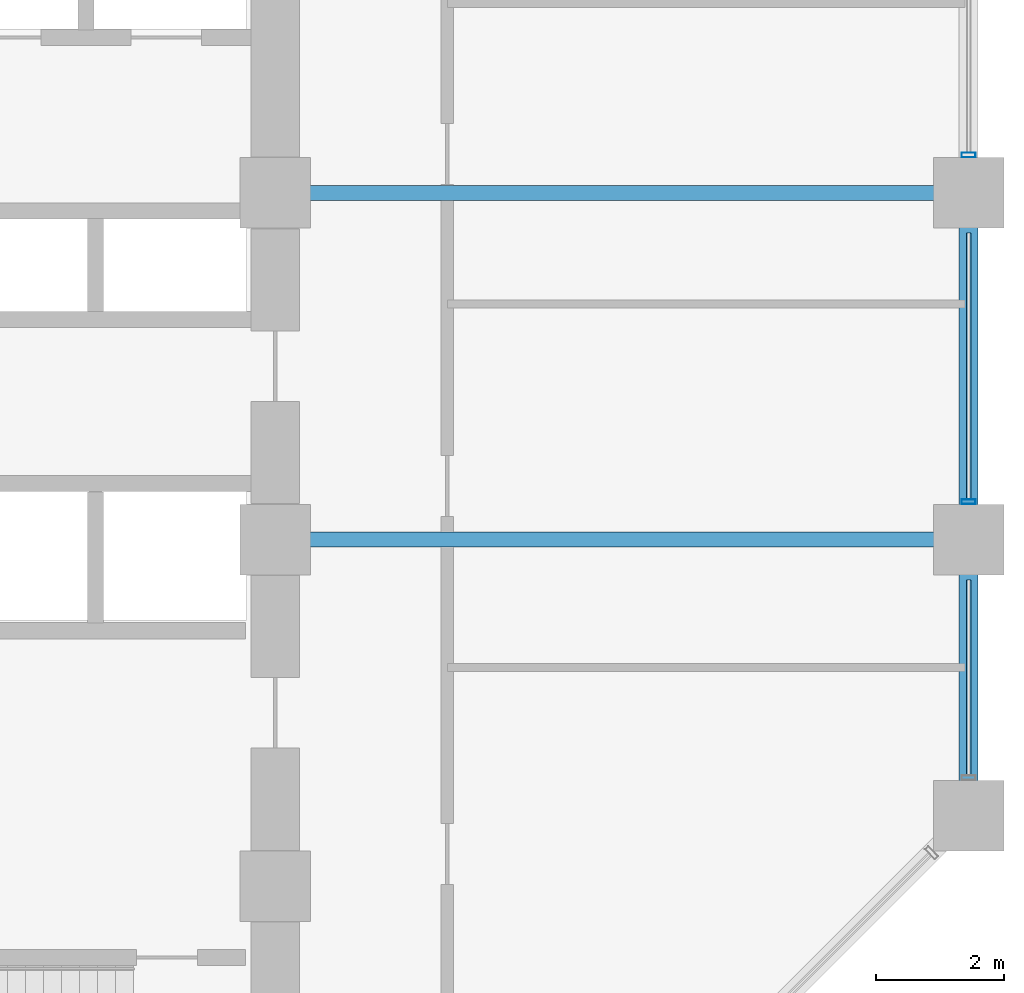
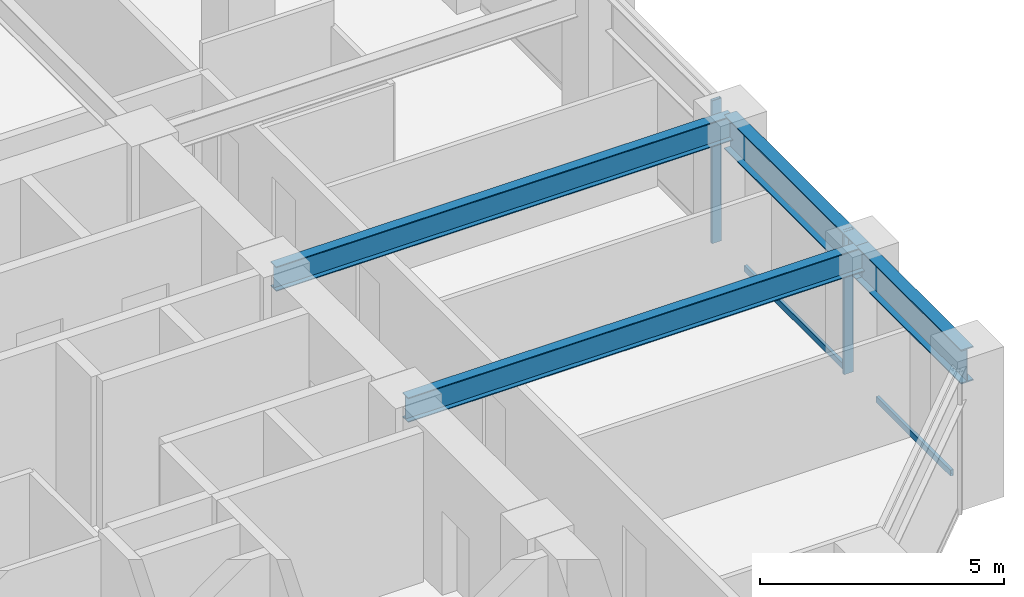
# One storey, part 9 of 25: 4 beams, 4 members, 1 element without a shape of its own.
"""IFC4 building model written with IfcOpenShell, lengths in metres."""

from ifc_helpers import new_model, si_unit, direction, frame, origin, origin_2d, place, context, subcontext, project, spatial, hollow_rectangle, i_section, extrude, material, layer, layer_set, material_profile, profile_set, type_object, element, aggregate, save


model = new_model("IFC4")

# Units and contexts
model_context = context("Model", 3, precision=1e-05, world=origin(), true_north=direction((0.0, 1.0)))
body_context = subcontext(model_context, "Body", "Model", "MODEL_VIEW")
ifc_project = project(units=[si_unit("LENGTHUNIT", "METRE"), si_unit("AREAUNIT", "SQUARE_METRE"), si_unit("VOLUMEUNIT", "CUBIC_METRE"), si_unit("PLANEANGLEUNIT", "RADIAN"), si_unit("MASSUNIT", "GRAM", prefix="KILO")], contexts=[model_context])

# Site, building, storey
site_placement = place(None, origin())
site = spatial("IfcSite", under=ifc_project, at=site_placement, CompositionType="ELEMENT")
building_placement = place(site_placement, origin())
building = spatial("IfcBuilding", under=site, at=building_placement, Name="Surkhivell Harbour Commons", CompositionType="ELEMENT")
storey_placement = place(building_placement, frame((0.0, 0.0, 124.5)))
storey = spatial("IfcBuildingStorey", under=building, at=storey_placement, Name="L32", CompositionType="ELEMENT", Elevation=124.5)

# Beams
ifc_material_1 = material(Name="Steel S355", Category="steel")
ifc_material_profile_1 = material_profile(ifc_material_1, i_section(OverallWidth=0.22998046875, OverallDepth=0.616943359375, WebThickness=0.01318359375, FlangeThickness=0.022216796875, at=origin_2d()), Name="UB610x229x140")
ifc_profile_set_1 = profile_set([ifc_material_profile_1], Name="Steel S355")
beam_type_1 = type_object("IfcBeamType", Name="BM-GRD-610B", PredefinedType="BEAM", material=ifc_profile_set_1)
for number, where, z_axis, x_axis, name in (
    (1, (10.800048828125, 0.0, 3.261474609375), (1.0, 0.0, 0.0), (0.0, 1.0, 0.0), "L32 Floor Girder (10.8,0.0)"),
    (2, (10.800048828125, 5.39990234375, 3.261474609375), (1.0, 0.0, 0.0), (0.0, 1.0, 0.0), "L32 Floor Girder (10.8,5.4)"),
):
    element("IfcBeam", number, at=place(storey_placement, frame(where, z_axis=z_axis, x_axis=x_axis)), inside=storey, type_object=beam_type_1, Name=name, PredefinedType="BEAM", context=body_context, shape_type="SweptSolid", body=[
        extrude(i_section(OverallWidth=0.22998046875, OverallDepth=0.616943359375, WebThickness=0.01318359375, FlangeThickness=0.022216796875, at=origin_2d()), origin(), (0.0, 0.0, 1.0), 10.800048828125),
    ])
ifc_material_2 = material(Name="Steel S460", Category="steel")
ifc_material_profile_2 = material_profile(ifc_material_2, i_section(OverallWidth=0.2939453125, OverallDepth=0.85107421875, WebThickness=0.01611328125, FlangeThickness=0.02685546875, at=origin_2d()), Name="UB838x292x226")
ifc_profile_set_2 = profile_set([ifc_material_profile_2], Name="Steel S460")
beam_type_2 = type_object("IfcBeamType", Name="BM-SPN-838", PredefinedType="SPANDREL", material=ifc_profile_set_2)
beam_1_placement = place(storey_placement, frame((21.60009765625, -4.300048828125, 3.14453125), z_axis=(0.0, 1.0, 0.0), x_axis=(-1.0, 0.0, 0.0)))
element("IfcBeam", 3, at=beam_1_placement, inside=storey, type_object=beam_type_2, Name="L32 Tube Spandrel (21.6,-4.3)", PredefinedType="SPANDREL", context=body_context, shape_type="SweptSolid", body=[
    extrude(i_section(OverallWidth=0.2939453125, OverallDepth=0.85107421875, WebThickness=0.01611328125, FlangeThickness=0.02685546875, at=origin_2d()), origin(), (0.0, 0.0, 1.0), 4.300048828125),
])
beam_2_placement = place(storey_placement, frame((21.60009765625, 0.0, 3.14453125), z_axis=(0.0, 1.0, 0.0), x_axis=(-1.0, 0.0, 0.0)))
element("IfcBeam", 4, at=beam_2_placement, inside=storey, type_object=beam_type_2, Name="L32 Tube Spandrel (21.6,0.0)", PredefinedType="SPANDREL", context=body_context, shape_type="SweptSolid", body=[
    extrude(i_section(OverallWidth=0.2939453125, OverallDepth=0.85107421875, WebThickness=0.01611328125, FlangeThickness=0.02685546875, at=origin_2d()), origin(), (0.0, 0.0, 1.0), 5.39990234375),
])

# Curtain wall, members
ifc_material_3 = material(Name="Anodised pale-metal aluminium and insulated glazing", Category="aluminium")
ifc_layer = layer(ifc_material_3, 0.205078125)
ifc_layer_set = layer_set([ifc_layer], Name="Anodised pale-metal aluminium and insulated glazing")
curtain_wall_type = type_object("IfcCurtainWallType", Name="CW-SYS-Z2", PredefinedType="NOTDEFINED", material=ifc_layer_set)
curtain_wall_placement = place(storey_placement, origin())
curtain_wall = element("IfcCurtainWall", 5, at=curtain_wall_placement, inside=storey, type_object=curtain_wall_type, Name="L32 Curtain Wall CW-L32-E02", PredefinedType="NOTDEFINED")
ifc_material_4 = material(Name="Anodised pale-metal aluminium alloy 6063-T6", Category="aluminium")
ifc_material_profile_3 = material_profile(ifc_material_4, hollow_rectangle(XDim=0.074951171875, YDim=0.219970703125, WallThickness=0.00390625, at=origin_2d()), Name="ALU-MULL-75x220")
ifc_profile_set_3 = profile_set([ifc_material_profile_3], Name="Anodised pale-metal aluminium alloy 6063-T6")
member_type_1 = type_object("IfcMemberType", Name="CWM-220", PredefinedType="MULLION", material=ifc_profile_set_3)
member_1_placement = place(storey_placement, frame((21.60009765625, 0.589599609375, 0.0), z_axis=(0.0, 0.0, 1.0), x_axis=(0.0, 1.0, 0.0)))
member_1 = element("IfcMember", 6, at=member_1_placement, type_object=member_type_1, Name="CW-Z2 mullion 2", PredefinedType="MULLION", context=body_context, shape_type="SweptSolid", body=[
    extrude(hollow_rectangle(XDim=0.074951171875, YDim=0.219970703125, WallThickness=0.00390625, at=origin_2d()), origin(), (0.0, 0.0, 1.0), 3.570068359375),
])
member_2_placement = place(storey_placement, frame((21.60009765625, 5.989501953125, 0.0), z_axis=(0.0, 0.0, 1.0), x_axis=(0.0, 1.0, 0.0)))
member_2 = element("IfcMember", 7, at=member_2_placement, type_object=member_type_1, Name="CW-Z2 mullion 3", PredefinedType="MULLION", context=body_context, shape_type="SweptSolid", body=[
    extrude(hollow_rectangle(XDim=0.074951171875, YDim=0.219970703125, WallThickness=0.00390625, at=origin_2d()), origin(), (0.0, 0.0, 1.0), 3.570068359375),
])
ifc_material_profile_4 = material_profile(ifc_material_4, hollow_rectangle(XDim=0.074951171875, YDim=0.14990234375, WallThickness=0.00341796875, at=origin_2d()), Name="ALU-TRAN-75x150")
ifc_profile_set_4 = profile_set([ifc_material_profile_4], Name="Anodised pale-metal aluminium alloy 6063-T6")
member_type_2 = type_object("IfcMemberType", Name="CWT-150", PredefinedType="USERDEFINED", material=ifc_profile_set_4)
member_3_placement = place(storey_placement, frame((21.60009765625, -3.673095703125, 0.074951171875), z_axis=(0.0, 1.0, 0.0), x_axis=(-1.0, 0.0, 0.0)))
member_3 = element("IfcMember", 8, at=member_3_placement, type_object=member_type_2, Name="CW-Z2 transom 1.1", ObjectType="TRANSOM", PredefinedType="USERDEFINED", context=body_context, shape_type="SweptSolid", body=[
    extrude(hollow_rectangle(XDim=0.074951171875, YDim=0.14990234375, WallThickness=0.00341796875, at=origin_2d()), origin(), (0.0, 0.0, 1.0), 3.046142578125),
])
member_4_placement = place(storey_placement, frame((21.60009765625, 0.626953125, 0.074951171875), z_axis=(0.0, 1.0, 0.0), x_axis=(-1.0, 0.0, 0.0)))
member_4 = element("IfcMember", 9, at=member_4_placement, type_object=member_type_2, Name="CW-Z2 transom 2.1", ObjectType="TRANSOM", PredefinedType="USERDEFINED", context=body_context, shape_type="SweptSolid", body=[
    extrude(hollow_rectangle(XDim=0.074951171875, YDim=0.14990234375, WallThickness=0.00341796875, at=origin_2d()), origin(), (0.0, 0.0, 1.0), 4.14599609375),
])
aggregate(curtain_wall, [member_3, member_1, member_4, member_2])

save(model, "model.ifc")
